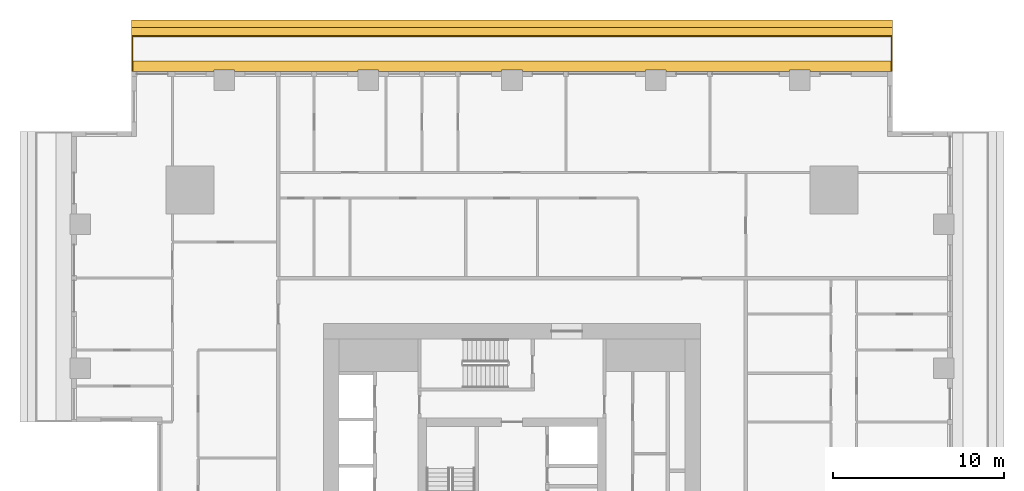
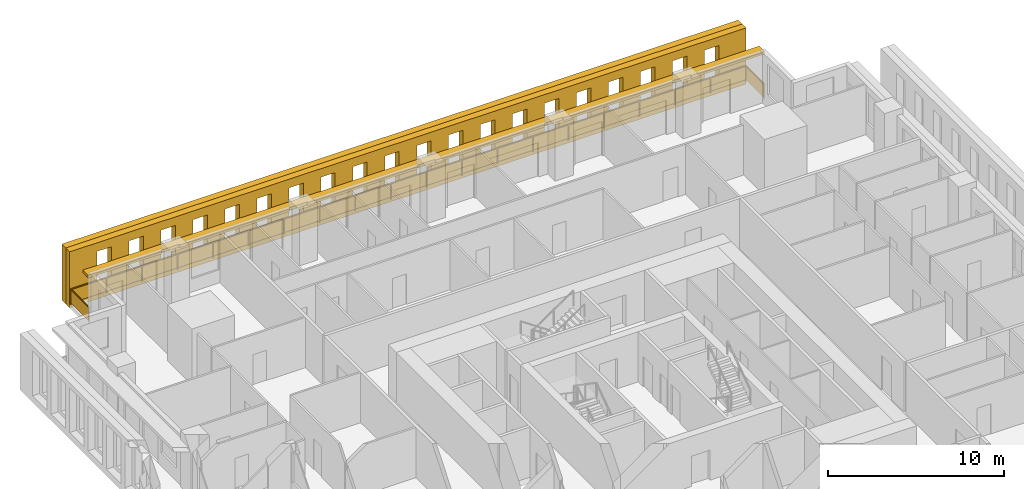
# One storey, part 14 of 14: 3 shading devices, 1 railing.
"""IFC4 building model written with IfcOpenShell, lengths in metres."""

from ifc_helpers import new_model, si_unit, direction, frame, origin, origin_2d, place, context, subcontext, project, spatial, polyline, rectangle, outline, extrude, material, layer, layer_set, type_object, element, save


model = new_model("IFC4")

# Units and contexts
model_context = context("Model", 3, precision=1e-05, world=origin(), true_north=direction((0.0, 1.0)))
body_context = subcontext(model_context, "Body", "Model", "MODEL_VIEW")
ifc_project = project(units=[si_unit("LENGTHUNIT", "METRE"), si_unit("AREAUNIT", "SQUARE_METRE"), si_unit("VOLUMEUNIT", "CUBIC_METRE"), si_unit("PLANEANGLEUNIT", "RADIAN"), si_unit("MASSUNIT", "GRAM", prefix="KILO")], contexts=[model_context])

# Site, building, storey
site_placement = place(None, origin())
site = spatial("IfcSite", under=ifc_project, at=site_placement, CompositionType="ELEMENT")
building_placement = place(site_placement, origin())
building = spatial("IfcBuilding", under=site, at=building_placement, Name="Khepri Terraces", CompositionType="ELEMENT")
storey_placement = place(building_placement, frame((0.0, 0.0, 90.89990234375)))
storey = spatial("IfcBuildingStorey", under=building, at=storey_placement, Name="L21", CompositionType="ELEMENT", Elevation=90.89990234375)

# Railing
ifc_material_1 = material(Name="Stainless steel grade 316", Category="steel")
railing_type = type_object("IfcRailingType", Name="GRD-BAL-1100", PredefinedType="GUARDRAIL", material=ifc_material_1)
railing_placement = place(storey_placement, frame((22.169921875, 25.719970703125, 0.0)))
element("IfcRailing", 1, at=railing_placement, inside=storey, type_object=railing_type, Name="Balcony guard L21 N", PredefinedType="GUARDRAIL", context=body_context, shape_type="SweptSolid", body=[
    extrude(rectangle(XDim=0.050048828125, YDim=0.06005859375, at=origin_2d()), frame((0.0, 0.0, 1.070068359375), z_axis=(0.0, 1.0, 0.0), x_axis=(-1.0, 0.0, 0.0)), (0.0, 0.0, 1.0), 2.050048828125),
    extrude(rectangle(XDim=2.0, YDim=0.011962890625, at=origin_2d()), frame((0.0, 1.02490234375, 0.10009765625), z_axis=(0.0, 0.0, 1.0), x_axis=(0.0, 1.0, 0.0)), (0.0, 0.0, 1.0), 0.93994140625),
    extrude(rectangle(XDim=0.050048828125, YDim=0.06005859375, at=origin_2d()), frame((0.0, 2.050048828125, 1.070068359375), z_axis=(-1.0, 0.0, 0.0), x_axis=(0.0, -1.0, 0.0)), (0.0, 0.0, 1.0), 44.33984375),
    extrude(rectangle(XDim=2.28369140625, YDim=0.011962890625, at=origin_2d()), frame((-1.166748046875, 2.050048828125, 0.10009765625), z_axis=(0.0, 0.0, 1.0), x_axis=(-1.0, 0.0, 0.0)), (0.0, 0.0, 1.0), 0.93994140625),
    extrude(rectangle(XDim=2.28369140625, YDim=0.011962890625, at=origin_2d()), frame((-3.50048828125, 2.050048828125, 0.10009765625), z_axis=(0.0, 0.0, 1.0), x_axis=(-1.0, 0.0, 0.0)), (0.0, 0.0, 1.0), 0.93994140625),
    extrude(rectangle(XDim=2.28369140625, YDim=0.011962890625, at=origin_2d()), frame((-5.834228515625, 2.050048828125, 0.10009765625), z_axis=(0.0, 0.0, 1.0), x_axis=(-1.0, 0.0, 0.0)), (0.0, 0.0, 1.0), 0.93994140625),
    extrude(rectangle(XDim=2.28369140625, YDim=0.011962890625, at=origin_2d()), frame((-8.16796875, 2.050048828125, 0.10009765625), z_axis=(0.0, 0.0, 1.0), x_axis=(-1.0, 0.0, 0.0)), (0.0, 0.0, 1.0), 0.93994140625),
    extrude(rectangle(XDim=2.28369140625, YDim=0.011962890625, at=origin_2d()), frame((-10.50146484375, 2.050048828125, 0.10009765625), z_axis=(0.0, 0.0, 1.0), x_axis=(-1.0, 0.0, 0.0)), (0.0, 0.0, 1.0), 0.93994140625),
    extrude(rectangle(XDim=2.28369140625, YDim=0.011962890625, at=origin_2d()), frame((-12.835205078125, 2.050048828125, 0.10009765625), z_axis=(0.0, 0.0, 1.0), x_axis=(-1.0, 0.0, 0.0)), (0.0, 0.0, 1.0), 0.93994140625),
    extrude(rectangle(XDim=2.28369140625, YDim=0.011962890625, at=origin_2d()), frame((-15.1689453125, 2.050048828125, 0.10009765625), z_axis=(0.0, 0.0, 1.0), x_axis=(-1.0, 0.0, 0.0)), (0.0, 0.0, 1.0), 0.93994140625),
    extrude(rectangle(XDim=2.28369140625, YDim=0.011962890625, at=origin_2d()), frame((-17.502685546875, 2.050048828125, 0.10009765625), z_axis=(0.0, 0.0, 1.0), x_axis=(-1.0, 0.0, 0.0)), (0.0, 0.0, 1.0), 0.93994140625),
    extrude(rectangle(XDim=2.28369140625, YDim=0.011962890625, at=origin_2d()), frame((-19.836181640625, 2.050048828125, 0.10009765625), z_axis=(0.0, 0.0, 1.0), x_axis=(-1.0, 0.0, 0.0)), (0.0, 0.0, 1.0), 0.93994140625),
    extrude(rectangle(XDim=2.28369140625, YDim=0.011962890625, at=origin_2d()), frame((-22.169921875, 2.050048828125, 0.10009765625), z_axis=(0.0, 0.0, 1.0), x_axis=(-1.0, 0.0, 0.0)), (0.0, 0.0, 1.0), 0.93994140625),
    extrude(rectangle(XDim=2.28369140625, YDim=0.011962890625, at=origin_2d()), frame((-24.503662109375, 2.050048828125, 0.10009765625), z_axis=(0.0, 0.0, 1.0), x_axis=(-1.0, 0.0, 0.0)), (0.0, 0.0, 1.0), 0.93994140625),
    extrude(rectangle(XDim=2.28369140625, YDim=0.011962890625, at=origin_2d()), frame((-26.837158203125, 2.050048828125, 0.10009765625), z_axis=(0.0, 0.0, 1.0), x_axis=(-1.0, 0.0, 0.0)), (0.0, 0.0, 1.0), 0.93994140625),
    extrude(rectangle(XDim=2.28369140625, YDim=0.011962890625, at=origin_2d()), frame((-29.1708984375, 2.050048828125, 0.10009765625), z_axis=(0.0, 0.0, 1.0), x_axis=(-1.0, 0.0, 0.0)), (0.0, 0.0, 1.0), 0.93994140625),
    extrude(rectangle(XDim=2.28369140625, YDim=0.011962890625, at=origin_2d()), frame((-31.504638671875, 2.050048828125, 0.10009765625), z_axis=(0.0, 0.0, 1.0), x_axis=(-1.0, 0.0, 0.0)), (0.0, 0.0, 1.0), 0.93994140625),
    extrude(rectangle(XDim=2.28369140625, YDim=0.011962890625, at=origin_2d()), frame((-33.83837890625, 2.050048828125, 0.10009765625), z_axis=(0.0, 0.0, 1.0), x_axis=(-1.0, 0.0, 0.0)), (0.0, 0.0, 1.0), 0.93994140625),
    extrude(rectangle(XDim=2.28369140625, YDim=0.011962890625, at=origin_2d()), frame((-36.171875, 2.050048828125, 0.10009765625), z_axis=(0.0, 0.0, 1.0), x_axis=(-1.0, 0.0, 0.0)), (0.0, 0.0, 1.0), 0.93994140625),
    extrude(rectangle(XDim=2.28369140625, YDim=0.011962890625, at=origin_2d()), frame((-38.505615234375, 2.050048828125, 0.10009765625), z_axis=(0.0, 0.0, 1.0), x_axis=(-1.0, 0.0, 0.0)), (0.0, 0.0, 1.0), 0.93994140625),
    extrude(rectangle(XDim=2.28369140625, YDim=0.011962890625, at=origin_2d()), frame((-40.83935546875, 2.050048828125, 0.10009765625), z_axis=(0.0, 0.0, 1.0), x_axis=(-1.0, 0.0, 0.0)), (0.0, 0.0, 1.0), 0.93994140625),
    extrude(rectangle(XDim=2.28369140625, YDim=0.011962890625, at=origin_2d()), frame((-43.173095703125, 2.050048828125, 0.10009765625), z_axis=(0.0, 0.0, 1.0), x_axis=(-1.0, 0.0, 0.0)), (0.0, 0.0, 1.0), 0.93994140625),
    extrude(rectangle(XDim=0.050048828125, YDim=0.06005859375, at=origin_2d()), frame((-44.33984375, 2.050048828125, 1.070068359375), z_axis=(0.0, -1.0, 0.0), x_axis=(1.0, 0.0, 0.0)), (0.0, 0.0, 1.0), 2.050048828125),
    extrude(rectangle(XDim=2.0, YDim=0.011962890625, at=origin_2d()), frame((-44.33984375, 1.02490234375, 0.10009765625), z_axis=(0.0, 0.0, 1.0), x_axis=(0.0, -1.0, 0.0)), (0.0, 0.0, 1.0), 0.93994140625),
    extrude(rectangle(XDim=0.050048828125, YDim=0.050048828125, at=origin_2d()), origin(), (0.0, 0.0, 1.0), 1.0400390625),
    extrude(rectangle(XDim=0.050048828125, YDim=0.050048828125, at=origin_2d()), frame((0.0, 2.050048828125, 0.0)), (0.0, 0.0, 1.0), 1.0400390625),
    extrude(rectangle(XDim=0.050048828125, YDim=0.050048828125, at=origin_2d()), frame((-2.333740234375, 2.050048828125, 0.0)), (0.0, 0.0, 1.0), 1.0400390625),
    extrude(rectangle(XDim=0.050048828125, YDim=0.050048828125, at=origin_2d()), frame((-4.667236328125, 2.050048828125, 0.0)), (0.0, 0.0, 1.0), 1.0400390625),
    extrude(rectangle(XDim=0.050048828125, YDim=0.050048828125, at=origin_2d()), frame((-7.0009765625, 2.050048828125, 0.0)), (0.0, 0.0, 1.0), 1.0400390625),
    extrude(rectangle(XDim=0.050048828125, YDim=0.050048828125, at=origin_2d()), frame((-9.334716796875, 2.050048828125, 0.0)), (0.0, 0.0, 1.0), 1.0400390625),
    extrude(rectangle(XDim=0.050048828125, YDim=0.050048828125, at=origin_2d()), frame((-11.66845703125, 2.050048828125, 0.0)), (0.0, 0.0, 1.0), 1.0400390625),
    extrude(rectangle(XDim=0.050048828125, YDim=0.050048828125, at=origin_2d()), frame((-14.001953125, 2.050048828125, 0.0)), (0.0, 0.0, 1.0), 1.0400390625),
    extrude(rectangle(XDim=0.050048828125, YDim=0.050048828125, at=origin_2d()), frame((-16.335693359375, 2.050048828125, 0.0)), (0.0, 0.0, 1.0), 1.0400390625),
    extrude(rectangle(XDim=0.050048828125, YDim=0.050048828125, at=origin_2d()), frame((-18.66943359375, 2.050048828125, 0.0)), (0.0, 0.0, 1.0), 1.0400390625),
    extrude(rectangle(XDim=0.050048828125, YDim=0.050048828125, at=origin_2d()), frame((-21.003173828125, 2.050048828125, 0.0)), (0.0, 0.0, 1.0), 1.0400390625),
    extrude(rectangle(XDim=0.050048828125, YDim=0.050048828125, at=origin_2d()), frame((-23.336669921875, 2.050048828125, 0.0)), (0.0, 0.0, 1.0), 1.0400390625),
    extrude(rectangle(XDim=0.050048828125, YDim=0.050048828125, at=origin_2d()), frame((-25.67041015625, 2.050048828125, 0.0)), (0.0, 0.0, 1.0), 1.0400390625),
    extrude(rectangle(XDim=0.050048828125, YDim=0.050048828125, at=origin_2d()), frame((-28.004150390625, 2.050048828125, 0.0)), (0.0, 0.0, 1.0), 1.0400390625),
    extrude(rectangle(XDim=0.050048828125, YDim=0.050048828125, at=origin_2d()), frame((-30.337890625, 2.050048828125, 0.0)), (0.0, 0.0, 1.0), 1.0400390625),
    extrude(rectangle(XDim=0.050048828125, YDim=0.050048828125, at=origin_2d()), frame((-32.67138671875, 2.050048828125, 0.0)), (0.0, 0.0, 1.0), 1.0400390625),
    extrude(rectangle(XDim=0.050048828125, YDim=0.050048828125, at=origin_2d()), frame((-35.005126953125, 2.050048828125, 0.0)), (0.0, 0.0, 1.0), 1.0400390625),
    extrude(rectangle(XDim=0.050048828125, YDim=0.050048828125, at=origin_2d()), frame((-37.3388671875, 2.050048828125, 0.0)), (0.0, 0.0, 1.0), 1.0400390625),
    extrude(rectangle(XDim=0.050048828125, YDim=0.050048828125, at=origin_2d()), frame((-39.672607421875, 2.050048828125, 0.0)), (0.0, 0.0, 1.0), 1.0400390625),
    extrude(rectangle(XDim=0.050048828125, YDim=0.050048828125, at=origin_2d()), frame((-42.006103515625, 2.050048828125, 0.0)), (0.0, 0.0, 1.0), 1.0400390625),
    extrude(rectangle(XDim=0.050048828125, YDim=0.050048828125, at=origin_2d()), frame((-44.33984375, 2.050048828125, 0.0)), (0.0, 0.0, 1.0), 1.0400390625),
    extrude(rectangle(XDim=0.050048828125, YDim=0.050048828125, at=origin_2d()), frame((-44.33984375, 0.0, 0.0)), (0.0, 0.0, 1.0), 1.0400390625),
])

# Shading devices
ifc_material_2 = material(Name="Precast concrete C50/60 warm stone", Category="masonry")
shading_device_type_1 = type_object("IfcShadingDeviceType", Name="SCR-CELL-INNER-450", PredefinedType="USERDEFINED", material=ifc_material_2)
shading_device_1_placement = place(storey_placement, frame((22.219970703125, 27.820068359375, -0.25), z_axis=(0.0, 1.0, 0.0), x_axis=(-1.0, 0.0, 0.0)))
element("IfcShadingDevice", 2, at=shading_device_1_placement, inside=storey, type_object=shading_device_type_1, Name="Cell screen L21 N in", ObjectType="SCREEN", PredefinedType="USERDEFINED", context=body_context, shape_type="SweptSolid", body=[
    extrude(outline(polyline([(0.0, 0.0), (44.43994140625, 0.0), (44.43994140625, 3.89990234375), (0.0, 3.89990234375), (0.0, 0.0)]), holes=[polyline([(1.797607421875, 0.699951171875), (2.742431640625, 0.699951171875), (2.742431640625, 3.300048828125), (1.797607421875, 3.300048828125), (1.797607421875, 0.699951171875)]), polyline([(3.8974609375, 0.699951171875), (4.842529296875, 0.699951171875), (4.842529296875, 3.300048828125), (3.8974609375, 3.300048828125), (3.8974609375, 0.699951171875)]), polyline([(5.99755859375, 0.699951171875), (6.9423828125, 0.699951171875), (6.9423828125, 3.300048828125), (5.99755859375, 3.300048828125), (5.99755859375, 0.699951171875)]), polyline([(8.097412109375, 0.699951171875), (9.04248046875, 0.699951171875), (9.04248046875, 3.300048828125), (8.097412109375, 3.300048828125), (8.097412109375, 0.699951171875)]), polyline([(10.197509765625, 0.699951171875), (11.142578125, 0.699951171875), (11.142578125, 3.300048828125), (10.197509765625, 3.300048828125), (10.197509765625, 0.699951171875)]), polyline([(12.297607421875, 0.699951171875), (13.242431640625, 0.699951171875), (13.242431640625, 3.300048828125), (12.297607421875, 3.300048828125), (12.297607421875, 0.699951171875)]), polyline([(14.3974609375, 0.699951171875), (15.342529296875, 0.699951171875), (15.342529296875, 3.300048828125), (14.3974609375, 3.300048828125), (14.3974609375, 0.699951171875)]), polyline([(16.49755859375, 0.699951171875), (17.4423828125, 0.699951171875), (17.4423828125, 3.300048828125), (16.49755859375, 3.300048828125), (16.49755859375, 0.699951171875)]), polyline([(18.597412109375, 0.699951171875), (19.54248046875, 0.699951171875), (19.54248046875, 3.300048828125), (18.597412109375, 3.300048828125), (18.597412109375, 0.699951171875)]), polyline([(20.697509765625, 0.699951171875), (21.642578125, 0.699951171875), (21.642578125, 3.300048828125), (20.697509765625, 3.300048828125), (20.697509765625, 0.699951171875)]), polyline([(22.797607421875, 0.699951171875), (23.742431640625, 0.699951171875), (23.742431640625, 3.300048828125), (22.797607421875, 3.300048828125), (22.797607421875, 0.699951171875)]), polyline([(24.8974609375, 0.699951171875), (25.842529296875, 0.699951171875), (25.842529296875, 3.300048828125), (24.8974609375, 3.300048828125), (24.8974609375, 0.699951171875)]), polyline([(26.99755859375, 0.699951171875), (27.9423828125, 0.699951171875), (27.9423828125, 3.300048828125), (26.99755859375, 3.300048828125), (26.99755859375, 0.699951171875)]), polyline([(29.097412109375, 0.699951171875), (30.04248046875, 0.699951171875), (30.04248046875, 3.300048828125), (29.097412109375, 3.300048828125), (29.097412109375, 0.699951171875)]), polyline([(31.197509765625, 0.699951171875), (32.142578125, 0.699951171875), (32.142578125, 3.300048828125), (31.197509765625, 3.300048828125), (31.197509765625, 0.699951171875)]), polyline([(33.297607421875, 0.699951171875), (34.242431640625, 0.699951171875), (34.242431640625, 3.300048828125), (33.297607421875, 3.300048828125), (33.297607421875, 0.699951171875)]), polyline([(35.3974609375, 0.699951171875), (36.342529296875, 0.699951171875), (36.342529296875, 3.300048828125), (35.3974609375, 3.300048828125), (35.3974609375, 0.699951171875)]), polyline([(37.49755859375, 0.699951171875), (38.4423828125, 0.699951171875), (38.4423828125, 3.300048828125), (37.49755859375, 3.300048828125), (37.49755859375, 0.699951171875)]), polyline([(39.597412109375, 0.699951171875), (40.54248046875, 0.699951171875), (40.54248046875, 3.300048828125), (39.597412109375, 3.300048828125), (39.597412109375, 0.699951171875)]), polyline([(41.697509765625, 0.699951171875), (42.642578125, 0.699951171875), (42.642578125, 3.300048828125), (41.697509765625, 3.300048828125), (41.697509765625, 0.699951171875)])]), origin(), (0.0, 0.0, 1.0), 0.449951171875),
])
shading_device_type_2 = type_object("IfcShadingDeviceType", Name="SCR-CELL-OUTER-450", PredefinedType="USERDEFINED", material=ifc_material_2)
shading_device_2_placement = place(storey_placement, frame((22.219970703125, 28.27001953125, -0.25), z_axis=(0.0, 1.0, 0.0), x_axis=(-1.0, 0.0, 0.0)))
element("IfcShadingDevice", 3, at=shading_device_2_placement, inside=storey, type_object=shading_device_type_2, Name="Cell screen L21 N out", ObjectType="SCREEN", PredefinedType="USERDEFINED", context=body_context, shape_type="SweptSolid", body=[
    extrude(outline(polyline([(0.0, 0.0), (44.43994140625, 0.0), (44.43994140625, 3.89990234375), (0.0, 3.89990234375), (0.0, 0.0)]), holes=[polyline([(1.447509765625, 0.449951171875), (3.092529296875, 0.449951171875), (3.092529296875, 3.550048828125), (1.447509765625, 3.550048828125), (1.447509765625, 0.449951171875)]), polyline([(3.547607421875, 0.449951171875), (5.1923828125, 0.449951171875), (5.1923828125, 3.550048828125), (3.547607421875, 3.550048828125), (3.547607421875, 0.449951171875)]), polyline([(5.6474609375, 0.449951171875), (7.29248046875, 0.449951171875), (7.29248046875, 3.550048828125), (5.6474609375, 3.550048828125), (5.6474609375, 0.449951171875)]), polyline([(7.74755859375, 0.449951171875), (9.392578125, 0.449951171875), (9.392578125, 3.550048828125), (7.74755859375, 3.550048828125), (7.74755859375, 0.449951171875)]), polyline([(9.847412109375, 0.449951171875), (11.492431640625, 0.449951171875), (11.492431640625, 3.550048828125), (9.847412109375, 3.550048828125), (9.847412109375, 0.449951171875)]), polyline([(11.947509765625, 0.449951171875), (13.592529296875, 0.449951171875), (13.592529296875, 3.550048828125), (11.947509765625, 3.550048828125), (11.947509765625, 0.449951171875)]), polyline([(14.047607421875, 0.449951171875), (15.6923828125, 0.449951171875), (15.6923828125, 3.550048828125), (14.047607421875, 3.550048828125), (14.047607421875, 0.449951171875)]), polyline([(16.1474609375, 0.449951171875), (17.79248046875, 0.449951171875), (17.79248046875, 3.550048828125), (16.1474609375, 3.550048828125), (16.1474609375, 0.449951171875)]), polyline([(18.24755859375, 0.449951171875), (19.892578125, 0.449951171875), (19.892578125, 3.550048828125), (18.24755859375, 3.550048828125), (18.24755859375, 0.449951171875)]), polyline([(20.347412109375, 0.449951171875), (21.992431640625, 0.449951171875), (21.992431640625, 3.550048828125), (20.347412109375, 3.550048828125), (20.347412109375, 0.449951171875)]), polyline([(22.447509765625, 0.449951171875), (24.092529296875, 0.449951171875), (24.092529296875, 3.550048828125), (22.447509765625, 3.550048828125), (22.447509765625, 0.449951171875)]), polyline([(24.547607421875, 0.449951171875), (26.1923828125, 0.449951171875), (26.1923828125, 3.550048828125), (24.547607421875, 3.550048828125), (24.547607421875, 0.449951171875)]), polyline([(26.6474609375, 0.449951171875), (28.29248046875, 0.449951171875), (28.29248046875, 3.550048828125), (26.6474609375, 3.550048828125), (26.6474609375, 0.449951171875)]), polyline([(28.74755859375, 0.449951171875), (30.392578125, 0.449951171875), (30.392578125, 3.550048828125), (28.74755859375, 3.550048828125), (28.74755859375, 0.449951171875)]), polyline([(30.847412109375, 0.449951171875), (32.492431640625, 0.449951171875), (32.492431640625, 3.550048828125), (30.847412109375, 3.550048828125), (30.847412109375, 0.449951171875)]), polyline([(32.947509765625, 0.449951171875), (34.592529296875, 0.449951171875), (34.592529296875, 3.550048828125), (32.947509765625, 3.550048828125), (32.947509765625, 0.449951171875)]), polyline([(35.047607421875, 0.449951171875), (36.6923828125, 0.449951171875), (36.6923828125, 3.550048828125), (35.047607421875, 3.550048828125), (35.047607421875, 0.449951171875)]), polyline([(37.1474609375, 0.449951171875), (38.79248046875, 0.449951171875), (38.79248046875, 3.550048828125), (37.1474609375, 3.550048828125), (37.1474609375, 0.449951171875)]), polyline([(39.24755859375, 0.449951171875), (40.892578125, 0.449951171875), (40.892578125, 3.550048828125), (39.24755859375, 3.550048828125), (39.24755859375, 0.449951171875)]), polyline([(41.347412109375, 0.449951171875), (42.992431640625, 0.449951171875), (42.992431640625, 3.550048828125), (41.347412109375, 3.550048828125), (41.347412109375, 0.449951171875)])]), origin(), (0.0, 0.0, 1.0), 0.449951171875),
])
ifc_layer = layer(ifc_material_2, 0.199951171875, Name="Precast concrete C50/60 warm stone", Category="masonry")
ifc_layer_set = layer_set([ifc_layer], Name="Precast concrete C50/60 warm stone")
shading_device_type_3 = type_object("IfcShadingDeviceType", Name="SSH-BAND-STONE-200-N", PredefinedType="USERDEFINED", material=ifc_layer_set)
shading_device_3_placement = place(storey_placement, frame((0.0, 0.0, 3.10009765625)))
element("IfcShadingDevice", 4, at=shading_device_3_placement, inside=storey, type_object=shading_device_type_3, Name="Sunshade band L21 N", ObjectType="SUNSHADE", PredefinedType="USERDEFINED", context=body_context, shape_type="SweptSolid", body=[
    extrude(outline(polyline([(17.39990234375, 25.719970703125), (22.219970703125, 25.719970703125), (22.219970703125, 26.320068359375), (-22.219970703125, 26.320068359375), (-22.219970703125, 25.719970703125), (-17.39990234375, 25.719970703125), (-17.39990234375, 25.800048828125), (-16.199951171875, 25.800048828125), (-16.199951171875, 25.719970703125), (-9.0, 25.719970703125), (-9.0, 25.800048828125), (-7.800048828125, 25.800048828125), (-7.800048828125, 25.719970703125), (-0.60009765625, 25.719970703125), (-0.60009765625, 25.800048828125), (0.60009765625, 25.800048828125), (0.60009765625, 25.719970703125), (7.800048828125, 25.719970703125), (7.800048828125, 25.800048828125), (9.0, 25.800048828125), (9.0, 25.719970703125), (16.199951171875, 25.719970703125), (16.199951171875, 25.800048828125), (17.39990234375, 25.800048828125), (17.39990234375, 25.719970703125)])), origin(), (0.0, 0.0, 1.0), 0.199951171875),
])

save(model, "model.ifc")
